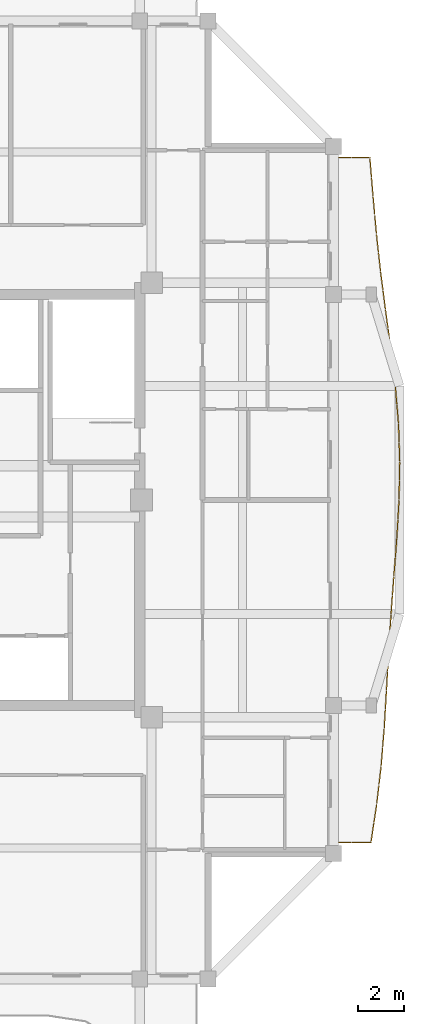
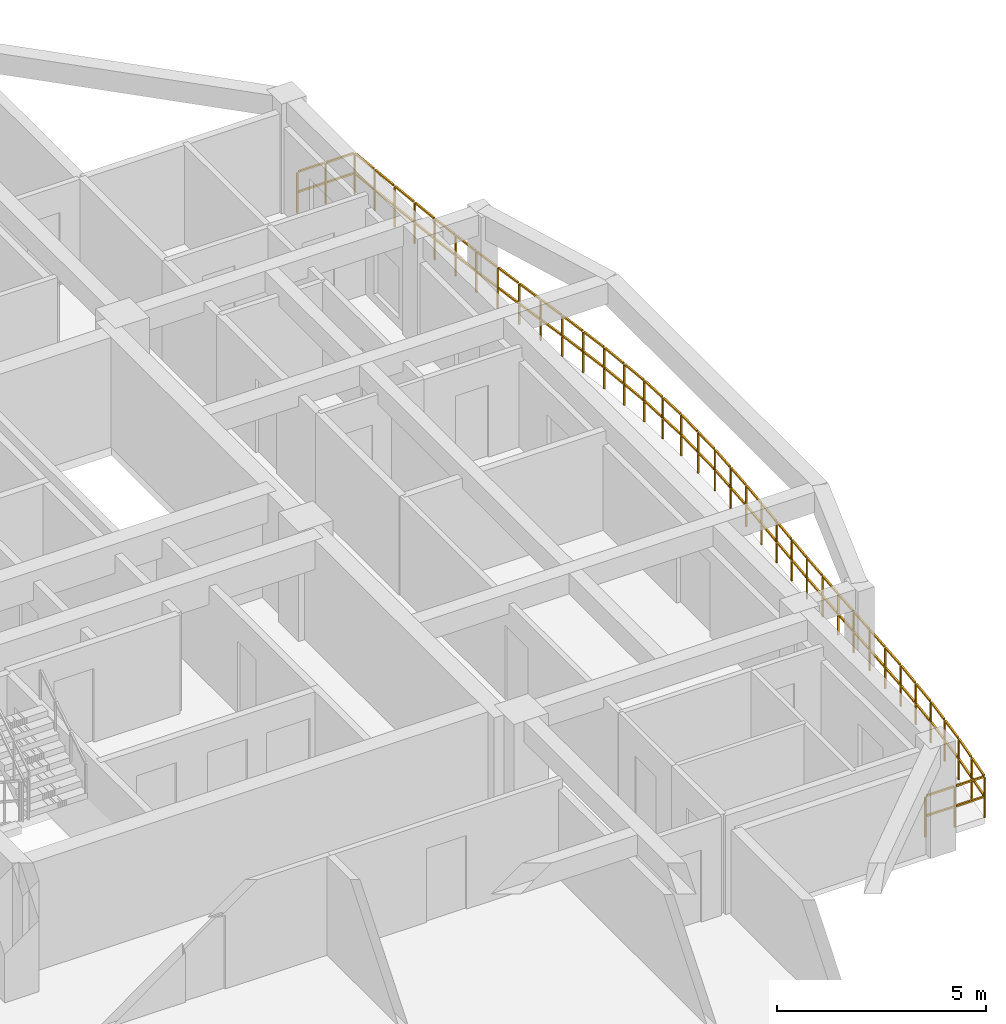
# One storey, part 10 of 11: 1 railing.
"""IFC4 building model written with IfcOpenShell, lengths in metres."""

from ifc_helpers import new_model, si_unit, direction, frame, origin, origin_2d, place, context, subcontext, project, spatial, rectangle, extrude, material, type_object, element, save


model = new_model("IFC4")

# Units and contexts
model_context = context("Model", 3, precision=1e-05, world=origin(), true_north=direction((0.0, 1.0)))
body_context = subcontext(model_context, "Body", "Model", "MODEL_VIEW")
ifc_project = project(units=[si_unit("LENGTHUNIT", "METRE"), si_unit("AREAUNIT", "SQUARE_METRE"), si_unit("VOLUMEUNIT", "CUBIC_METRE"), si_unit("PLANEANGLEUNIT", "RADIAN"), si_unit("MASSUNIT", "GRAM", prefix="KILO")], contexts=[model_context])

# Site, building, storey
site_placement = place(None, origin())
site = spatial("IfcSite", under=ifc_project, at=site_placement, CompositionType="ELEMENT")
building_placement = place(site_placement, origin())
building = spatial("IfcBuilding", under=site, at=building_placement, Name="Saelheon Loggia Tower", CompositionType="ELEMENT")
storey_placement = place(building_placement, frame((0.0, 0.0, 249.0)))
storey = spatial("IfcBuildingStorey", under=building, at=storey_placement, Name="L77", CompositionType="ELEMENT", Elevation=249.0)

# Railing
ifc_material = material(Name="Architectural Precast Concrete and Laminated Glass Guard", Category="concrete")
railing_type = type_object("IfcRailingType", Name="Guard_Loggia_RL_LOG", PredefinedType="BALUSTRADE", material=ifc_material)
railing_placement = place(storey_placement, frame((53.0, 12.0, 0.0)))
element("IfcRailing", 1, at=railing_placement, inside=storey, type_object=railing_type, Name="L77 East Loggia Balustrade", PredefinedType="BALUSTRADE", context=body_context, shape_type="SweptSolid", body=[
    extrude(rectangle(XDim=0.048095703125, YDim=0.048095703125, at=origin_2d()), frame((0.033203125, 0.0, 1.19580078125), z_axis=(1.0, 0.0, 0.0), x_axis=(0.0, 1.0, 0.0)), (0.0, 0.0, 1.0), 0.7509765625),
    extrude(rectangle(XDim=0.048095703125, YDim=0.048095703125, at=origin_2d()), frame((0.033203125, 0.0, 0.60986328125), z_axis=(1.0, 0.0, 0.0), x_axis=(0.0, 1.0, 0.0)), (0.0, 0.0, 1.0), 0.7509765625),
    extrude(rectangle(XDim=0.048095703125, YDim=0.048095703125, at=origin_2d()), frame((0.850830078125, 0.0, 1.19580078125), z_axis=(1.0, 0.0, 0.0), x_axis=(0.0, 1.0, 0.0)), (0.0, 0.0, 1.0), 0.7509765625),
    extrude(rectangle(XDim=0.048095703125, YDim=0.048095703125, at=origin_2d()), frame((0.850830078125, 0.0, 0.60986328125), z_axis=(1.0, 0.0, 0.0), x_axis=(0.0, 1.0, 0.0)), (0.0, 0.0, 1.0), 0.7509765625),
    extrude(rectangle(XDim=0.048095703125, YDim=0.048095703125, at=origin_2d()), frame((1.639892578125, 0.032958984375, 1.19580078125), z_axis=(0.149041602908, 0.988830926196, 0.0), x_axis=(-0.988830926196, 0.149041602908, 0.0)), (0.0, 0.0, 1.0), 0.7763671875),
    extrude(rectangle(XDim=0.048095703125, YDim=0.048095703125, at=origin_2d()), frame((1.639892578125, 0.032958984375, 0.60986328125), z_axis=(0.149041602908, 0.988830926196, 0.0), x_axis=(-0.988830926196, 0.149041602908, 0.0)), (0.0, 0.0, 1.0), 0.7763671875),
    extrude(rectangle(XDim=0.048095703125, YDim=0.048095703125, at=origin_2d()), frame((1.765625, 0.8662109375, 1.19580078125), z_axis=(0.149041602908, 0.988830926196, 0.0), x_axis=(-0.988830926196, 0.149041602908, 0.0)), (0.0, 0.0, 1.0), 0.7763671875),
    extrude(rectangle(XDim=0.048095703125, YDim=0.048095703125, at=origin_2d()), frame((1.765625, 0.8662109375, 0.60986328125), z_axis=(0.149041602908, 0.988830926196, 0.0), x_axis=(-0.988830926196, 0.149041602908, 0.0)), (0.0, 0.0, 1.0), 0.7763671875),
    extrude(rectangle(XDim=0.048095703125, YDim=0.048095703125, at=origin_2d()), frame((1.89013671875, 1.69970703125, 1.19580078125), z_axis=(0.115110168559, 0.993352731458, 0.0), x_axis=(-0.993352731458, 0.115110168559, 0.0)), (0.0, 0.0, 1.0), 0.7724609375),
    extrude(rectangle(XDim=0.048095703125, YDim=0.048095703125, at=origin_2d()), frame((1.89013671875, 1.69970703125, 0.60986328125), z_axis=(0.115110168559, 0.993352731458, 0.0), x_axis=(-0.993352731458, 0.115110168559, 0.0)), (0.0, 0.0, 1.0), 0.7724609375),
    extrude(rectangle(XDim=0.048095703125, YDim=0.048095703125, at=origin_2d()), frame((1.986572265625, 2.532958984375, 1.19580078125), z_axis=(0.115110168559, 0.993352731458, 0.0), x_axis=(-0.993352731458, 0.115110168559, 0.0)), (0.0, 0.0, 1.0), 0.7724609375),
    extrude(rectangle(XDim=0.048095703125, YDim=0.048095703125, at=origin_2d()), frame((1.986572265625, 2.532958984375, 0.60986328125), z_axis=(0.115110168559, 0.993352731458, 0.0), x_axis=(-0.993352731458, 0.115110168559, 0.0)), (0.0, 0.0, 1.0), 0.7724609375),
    extrude(rectangle(XDim=0.048095703125, YDim=0.048095703125, at=origin_2d()), frame((2.08203125, 3.366455078125, 1.19580078125), z_axis=(0.081317613755, 0.996688238966, 0.0), x_axis=(-0.996688238966, 0.081317613755, 0.0)), (0.0, 0.0, 1.0), 0.769775390625),
    extrude(rectangle(XDim=0.048095703125, YDim=0.048095703125, at=origin_2d()), frame((2.08203125, 3.366455078125, 0.60986328125), z_axis=(0.081317613755, 0.996688238966, 0.0), x_axis=(-0.996688238966, 0.081317613755, 0.0)), (0.0, 0.0, 1.0), 0.769775390625),
    extrude(rectangle(XDim=0.048095703125, YDim=0.048095703125, at=origin_2d()), frame((2.150146484375, 4.19970703125, 1.19580078125), z_axis=(0.081317613755, 0.996688238966, 0.0), x_axis=(-0.996688238966, 0.081317613755, 0.0)), (0.0, 0.0, 1.0), 0.769775390625),
    extrude(rectangle(XDim=0.048095703125, YDim=0.048095703125, at=origin_2d()), frame((2.150146484375, 4.19970703125, 0.60986328125), z_axis=(0.081317613755, 0.996688238966, 0.0), x_axis=(-0.996688238966, 0.081317613755, 0.0)), (0.0, 0.0, 1.0), 0.769775390625),
    extrude(rectangle(XDim=0.048095703125, YDim=0.048095703125, at=origin_2d()), frame((2.21728515625, 5.033203125, 1.19580078125), z_axis=(0.059510570368, 0.99822767544, 0.0), x_axis=(-0.99822767544, 0.059510570368, 0.0)), (0.0, 0.0, 1.0), 0.768310546875),
    extrude(rectangle(XDim=0.048095703125, YDim=0.048095703125, at=origin_2d()), frame((2.21728515625, 5.033203125, 0.60986328125), z_axis=(0.059510570368, 0.99822767544, 0.0), x_axis=(-0.99822767544, 0.059510570368, 0.0)), (0.0, 0.0, 1.0), 0.768310546875),
    extrude(rectangle(XDim=0.048095703125, YDim=0.048095703125, at=origin_2d()), frame((2.26708984375, 5.866455078125, 1.19580078125), z_axis=(0.059510570368, 0.99822767544, 0.0), x_axis=(-0.99822767544, 0.059510570368, 0.0)), (0.0, 0.0, 1.0), 0.768310546875),
    extrude(rectangle(XDim=0.048095703125, YDim=0.048095703125, at=origin_2d()), frame((2.26708984375, 5.866455078125, 0.60986328125), z_axis=(0.059510570368, 0.99822767544, 0.0), x_axis=(-0.99822767544, 0.059510570368, 0.0)), (0.0, 0.0, 1.0), 0.768310546875),
    extrude(rectangle(XDim=0.048095703125, YDim=0.048095703125, at=origin_2d()), frame((2.31640625, 6.699951171875, 1.19580078125), z_axis=(0.055000126962, 0.998486347445, 0.0), x_axis=(-0.998486347445, 0.055000126962, 0.0)), (0.0, 0.0, 1.0), 0.76806640625),
    extrude(rectangle(XDim=0.048095703125, YDim=0.048095703125, at=origin_2d()), frame((2.31640625, 6.699951171875, 0.60986328125), z_axis=(0.055000126962, 0.998486347445, 0.0), x_axis=(-0.998486347445, 0.055000126962, 0.0)), (0.0, 0.0, 1.0), 0.76806640625),
    extrude(rectangle(XDim=0.048095703125, YDim=0.048095703125, at=origin_2d()), frame((2.3623046875, 7.533203125, 1.19580078125), z_axis=(0.055000126962, 0.998486347445, 0.0), x_axis=(-0.998486347445, 0.055000126962, 0.0)), (0.0, 0.0, 1.0), 0.76806640625),
    extrude(rectangle(XDim=0.048095703125, YDim=0.048095703125, at=origin_2d()), frame((2.3623046875, 7.533203125, 0.60986328125), z_axis=(0.055000126962, 0.998486347445, 0.0), x_axis=(-0.998486347445, 0.055000126962, 0.0)), (0.0, 0.0, 1.0), 0.76806640625),
    extrude(rectangle(XDim=0.048095703125, YDim=0.048095703125, at=origin_2d()), frame((2.40869140625, 8.366455078125, 1.19580078125), z_axis=(0.063879811167, 0.997957599162, 0.0), x_axis=(-0.997957599162, 0.063879811167, 0.0)), (0.0, 0.0, 1.0), 0.7685546875),
    extrude(rectangle(XDim=0.048095703125, YDim=0.048095703125, at=origin_2d()), frame((2.40869140625, 8.366455078125, 0.60986328125), z_axis=(0.063879811167, 0.997957599162, 0.0), x_axis=(-0.997957599162, 0.063879811167, 0.0)), (0.0, 0.0, 1.0), 0.7685546875),
    extrude(rectangle(XDim=0.048095703125, YDim=0.048095703125, at=origin_2d()), frame((2.4619140625, 9.19970703125, 1.19580078125), z_axis=(0.063879811167, 0.997957599162, 0.0), x_axis=(-0.997957599162, 0.063879811167, 0.0)), (0.0, 0.0, 1.0), 0.7685546875),
    extrude(rectangle(XDim=0.048095703125, YDim=0.048095703125, at=origin_2d()), frame((2.4619140625, 9.19970703125, 0.60986328125), z_axis=(0.063879811167, 0.997957599162, 0.0), x_axis=(-0.997957599162, 0.063879811167, 0.0)), (0.0, 0.0, 1.0), 0.7685546875),
    extrude(rectangle(XDim=0.048095703125, YDim=0.048095703125, at=origin_2d()), frame((2.515625, 10.033203125, 1.19580078125), z_axis=(0.075076807606, 0.997177753943, 0.0), x_axis=(-0.997177753943, 0.075076807606, 0.0)), (0.0, 0.0, 1.0), 0.769287109375),
    extrude(rectangle(XDim=0.048095703125, YDim=0.048095703125, at=origin_2d()), frame((2.515625, 10.033203125, 0.60986328125), z_axis=(0.075076807606, 0.997177753943, 0.0), x_axis=(-0.997177753943, 0.075076807606, 0.0)), (0.0, 0.0, 1.0), 0.769287109375),
    extrude(rectangle(XDim=0.048095703125, YDim=0.048095703125, at=origin_2d()), frame((2.578369140625, 10.866455078125, 1.19580078125), z_axis=(0.075076807606, 0.997177753943, 0.0), x_axis=(-0.997177753943, 0.075076807606, 0.0)), (0.0, 0.0, 1.0), 0.769287109375),
    extrude(rectangle(XDim=0.048095703125, YDim=0.048095703125, at=origin_2d()), frame((2.578369140625, 10.866455078125, 0.60986328125), z_axis=(0.075076807606, 0.997177753943, 0.0), x_axis=(-0.997177753943, 0.075076807606, 0.0)), (0.0, 0.0, 1.0), 0.769287109375),
    extrude(rectangle(XDim=0.048095703125, YDim=0.048095703125, at=origin_2d()), frame((2.64111328125, 11.699951171875, 1.19580078125), z_axis=(0.075959226601, 0.997110924569, 0.0), x_axis=(-0.997110924569, 0.075959226601, 0.0)), (0.0, 0.0, 1.0), 0.769287109375),
    extrude(rectangle(XDim=0.048095703125, YDim=0.048095703125, at=origin_2d()), frame((2.64111328125, 11.699951171875, 0.60986328125), z_axis=(0.075959226601, 0.997110924569, 0.0), x_axis=(-0.997110924569, 0.075959226601, 0.0)), (0.0, 0.0, 1.0), 0.769287109375),
    extrude(rectangle(XDim=0.048095703125, YDim=0.048095703125, at=origin_2d()), frame((2.70458984375, 12.533203125, 1.19580078125), z_axis=(0.075959226601, 0.997110924569, 0.0), x_axis=(-0.997110924569, 0.075959226601, 0.0)), (0.0, 0.0, 1.0), 0.769287109375),
    extrude(rectangle(XDim=0.048095703125, YDim=0.048095703125, at=origin_2d()), frame((2.70458984375, 12.533203125, 0.60986328125), z_axis=(0.075959226601, 0.997110924569, 0.0), x_axis=(-0.997110924569, 0.075959226601, 0.0)), (0.0, 0.0, 1.0), 0.769287109375),
    extrude(rectangle(XDim=0.048095703125, YDim=0.048095703125, at=origin_2d()), frame((2.767578125, 13.366455078125, 1.19580078125), z_axis=(0.057761901726, 0.998330387552, 0.0), x_axis=(-0.998330387552, 0.057761901726, 0.0)), (0.0, 0.0, 1.0), 0.768310546875),
    extrude(rectangle(XDim=0.048095703125, YDim=0.048095703125, at=origin_2d()), frame((2.767578125, 13.366455078125, 0.60986328125), z_axis=(0.057761901726, 0.998330387552, 0.0), x_axis=(-0.998330387552, 0.057761901726, 0.0)), (0.0, 0.0, 1.0), 0.768310546875),
    extrude(rectangle(XDim=0.048095703125, YDim=0.048095703125, at=origin_2d()), frame((2.815673828125, 14.19970703125, 1.19580078125), z_axis=(0.057761901726, 0.998330387552, 0.0), x_axis=(-0.998330387552, 0.057761901726, 0.0)), (0.0, 0.0, 1.0), 0.768310546875),
    extrude(rectangle(XDim=0.048095703125, YDim=0.048095703125, at=origin_2d()), frame((2.815673828125, 14.19970703125, 0.60986328125), z_axis=(0.057761901726, 0.998330387552, 0.0), x_axis=(-0.998330387552, 0.057761901726, 0.0)), (0.0, 0.0, 1.0), 0.768310546875),
    extrude(rectangle(XDim=0.048095703125, YDim=0.048095703125, at=origin_2d()), frame((2.86279296875, 15.033203125, 1.19580078125), z_axis=(0.018892189386, 0.999821526664, 0.0), x_axis=(-0.999821526664, 0.018892189386, 0.0)), (0.0, 0.0, 1.0), 0.76708984375),
    extrude(rectangle(XDim=0.048095703125, YDim=0.048095703125, at=origin_2d()), frame((2.86279296875, 15.033203125, 0.60986328125), z_axis=(0.018892189386, 0.999821526664, 0.0), x_axis=(-0.999821526664, 0.018892189386, 0.0)), (0.0, 0.0, 1.0), 0.76708984375),
    extrude(rectangle(XDim=0.048095703125, YDim=0.048095703125, at=origin_2d()), frame((2.87841796875, 15.86669921875, 1.19580078125), z_axis=(0.018892189386, 0.999821526664, 0.0), x_axis=(-0.999821526664, 0.018892189386, 0.0)), (0.0, 0.0, 1.0), 0.76708984375),
    extrude(rectangle(XDim=0.048095703125, YDim=0.048095703125, at=origin_2d()), frame((2.87841796875, 15.86669921875, 0.60986328125), z_axis=(0.018892189386, 0.999821526664, 0.0), x_axis=(-0.999821526664, 0.018892189386, 0.0)), (0.0, 0.0, 1.0), 0.76708984375),
    extrude(rectangle(XDim=0.048095703125, YDim=0.048095703125, at=origin_2d()), frame((2.892578125, 16.699951171875, 1.19580078125), z_axis=(-0.032944311089, 0.999457188861, 0.0), x_axis=(-0.999457188861, -0.032944311089, 0.0)), (0.0, 0.0, 1.0), 0.767333984375),
    extrude(rectangle(XDim=0.048095703125, YDim=0.048095703125, at=origin_2d()), frame((2.892578125, 16.699951171875, 0.60986328125), z_axis=(-0.032944311089, 0.999457188861, 0.0), x_axis=(-0.999457188861, -0.032944311089, 0.0)), (0.0, 0.0, 1.0), 0.767333984375),
    extrude(rectangle(XDim=0.048095703125, YDim=0.048095703125, at=origin_2d()), frame((2.864990234375, 17.533203125, 1.19580078125), z_axis=(-0.032944311089, 0.999457188861, 0.0), x_axis=(-0.999457188861, -0.032944311089, 0.0)), (0.0, 0.0, 1.0), 0.767333984375),
    extrude(rectangle(XDim=0.048095703125, YDim=0.048095703125, at=origin_2d()), frame((2.864990234375, 17.533203125, 0.60986328125), z_axis=(-0.032944311089, 0.999457188861, 0.0), x_axis=(-0.999457188861, -0.032944311089, 0.0)), (0.0, 0.0, 1.0), 0.767333984375),
    extrude(rectangle(XDim=0.048095703125, YDim=0.048095703125, at=origin_2d()), frame((2.8359375, 18.366455078125, 1.19580078125), z_axis=(-0.083637374408, 0.996496256692, 0.0), x_axis=(-0.996496256692, -0.083637374408, 0.0)), (0.0, 0.0, 1.0), 0.769775390625),
    extrude(rectangle(XDim=0.048095703125, YDim=0.048095703125, at=origin_2d()), frame((2.8359375, 18.366455078125, 0.60986328125), z_axis=(-0.083637374408, 0.996496256692, 0.0), x_axis=(-0.996496256692, -0.083637374408, 0.0)), (0.0, 0.0, 1.0), 0.769775390625),
    extrude(rectangle(XDim=0.048095703125, YDim=0.048095703125, at=origin_2d()), frame((2.765869140625, 19.19970703125, 1.19580078125), z_axis=(-0.083637374408, 0.996496256692, 0.0), x_axis=(-0.996496256692, -0.083637374408, 0.0)), (0.0, 0.0, 1.0), 0.769775390625),
    extrude(rectangle(XDim=0.048095703125, YDim=0.048095703125, at=origin_2d()), frame((2.765869140625, 19.19970703125, 0.60986328125), z_axis=(-0.083637374408, 0.996496256692, 0.0), x_axis=(-0.996496256692, -0.083637374408, 0.0)), (0.0, 0.0, 1.0), 0.769775390625),
    extrude(rectangle(XDim=0.048095703125, YDim=0.048095703125, at=origin_2d()), frame((2.69482421875, 20.032958984375, 1.19580078125), z_axis=(-0.120114226524, 0.992760078058, 0.0), x_axis=(-0.992760078058, -0.120114226524, 0.0)), (0.0, 0.0, 1.0), 0.77294921875),
    extrude(rectangle(XDim=0.048095703125, YDim=0.048095703125, at=origin_2d()), frame((2.69482421875, 20.032958984375, 0.60986328125), z_axis=(-0.120114226524, 0.992760078058, 0.0), x_axis=(-0.992760078058, -0.120114226524, 0.0)), (0.0, 0.0, 1.0), 0.77294921875),
    extrude(rectangle(XDim=0.048095703125, YDim=0.048095703125, at=origin_2d()), frame((2.593994140625, 20.866455078125, 1.19580078125), z_axis=(-0.120114226524, 0.992760078058, 0.0), x_axis=(-0.992760078058, -0.120114226524, 0.0)), (0.0, 0.0, 1.0), 0.77294921875),
    extrude(rectangle(XDim=0.048095703125, YDim=0.048095703125, at=origin_2d()), frame((2.593994140625, 20.866455078125, 0.60986328125), z_axis=(-0.120114226524, 0.992760078058, 0.0), x_axis=(-0.992760078058, -0.120114226524, 0.0)), (0.0, 0.0, 1.0), 0.77294921875),
    extrude(rectangle(XDim=0.048095703125, YDim=0.048095703125, at=origin_2d()), frame((2.49267578125, 21.69970703125, 1.19580078125), z_axis=(-0.134426490543, 0.990923568516, 0.0), x_axis=(-0.990923568516, -0.134426490543, 0.0)), (0.0, 0.0, 1.0), 0.7744140625),
    extrude(rectangle(XDim=0.048095703125, YDim=0.048095703125, at=origin_2d()), frame((2.49267578125, 21.69970703125, 0.60986328125), z_axis=(-0.134426490543, 0.990923568516, 0.0), x_axis=(-0.990923568516, -0.134426490543, 0.0)), (0.0, 0.0, 1.0), 0.7744140625),
    extrude(rectangle(XDim=0.048095703125, YDim=0.048095703125, at=origin_2d()), frame((2.379638671875, 22.532958984375, 1.19580078125), z_axis=(-0.134426490543, 0.990923568516, 0.0), x_axis=(-0.990923568516, -0.134426490543, 0.0)), (0.0, 0.0, 1.0), 0.7744140625),
    extrude(rectangle(XDim=0.048095703125, YDim=0.048095703125, at=origin_2d()), frame((2.379638671875, 22.532958984375, 0.60986328125), z_axis=(-0.134426490543, 0.990923568516, 0.0), x_axis=(-0.990923568516, -0.134426490543, 0.0)), (0.0, 0.0, 1.0), 0.7744140625),
    extrude(rectangle(XDim=0.048095703125, YDim=0.048095703125, at=origin_2d()), frame((2.266845703125, 23.3662109375, 1.19580078125), z_axis=(-0.127842269028, 0.991794512109, 0.0), x_axis=(-0.991794512109, -0.127842269028, 0.0)), (0.0, 0.0, 1.0), 0.773681640625),
    extrude(rectangle(XDim=0.048095703125, YDim=0.048095703125, at=origin_2d()), frame((2.266845703125, 23.3662109375, 0.60986328125), z_axis=(-0.127842269028, 0.991794512109, 0.0), x_axis=(-0.991794512109, -0.127842269028, 0.0)), (0.0, 0.0, 1.0), 0.773681640625),
    extrude(rectangle(XDim=0.048095703125, YDim=0.048095703125, at=origin_2d()), frame((2.159423828125, 24.19970703125, 1.19580078125), z_axis=(-0.127842269028, 0.991794512109, 0.0), x_axis=(-0.991794512109, -0.127842269028, 0.0)), (0.0, 0.0, 1.0), 0.773681640625),
    extrude(rectangle(XDim=0.048095703125, YDim=0.048095703125, at=origin_2d()), frame((2.159423828125, 24.19970703125, 0.60986328125), z_axis=(-0.127842269028, 0.991794512109, 0.0), x_axis=(-0.991794512109, -0.127842269028, 0.0)), (0.0, 0.0, 1.0), 0.773681640625),
    extrude(rectangle(XDim=0.048095703125, YDim=0.048095703125, at=origin_2d()), frame((2.052490234375, 25.032958984375, 1.19580078125), z_axis=(-0.108625418664, 0.9940827523, 0.0), x_axis=(-0.9940827523, -0.108625418664, 0.0)), (0.0, 0.0, 1.0), 0.77197265625),
    extrude(rectangle(XDim=0.048095703125, YDim=0.048095703125, at=origin_2d()), frame((2.052490234375, 25.032958984375, 0.60986328125), z_axis=(-0.108625418664, 0.9940827523, 0.0), x_axis=(-0.9940827523, -0.108625418664, 0.0)), (0.0, 0.0, 1.0), 0.77197265625),
    extrude(rectangle(XDim=0.048095703125, YDim=0.048095703125, at=origin_2d()), frame((1.96142578125, 25.866455078125, 1.19580078125), z_axis=(-0.108625418664, 0.9940827523, 0.0), x_axis=(-0.9940827523, -0.108625418664, 0.0)), (0.0, 0.0, 1.0), 0.77197265625),
    extrude(rectangle(XDim=0.048095703125, YDim=0.048095703125, at=origin_2d()), frame((1.96142578125, 25.866455078125, 0.60986328125), z_axis=(-0.108625418664, 0.9940827523, 0.0), x_axis=(-0.9940827523, -0.108625418664, 0.0)), (0.0, 0.0, 1.0), 0.77197265625),
    extrude(rectangle(XDim=0.048095703125, YDim=0.048095703125, at=origin_2d()), frame((1.87109375, 26.699951171875, 1.19580078125), z_axis=(-0.089733224399, 0.995965836984, 0.0), x_axis=(-0.995965836984, -0.089733224399, 0.0)), (0.0, 0.0, 1.0), 0.770263671875),
    extrude(rectangle(XDim=0.048095703125, YDim=0.048095703125, at=origin_2d()), frame((1.87109375, 26.699951171875, 0.60986328125), z_axis=(-0.089733224399, 0.995965836984, 0.0), x_axis=(-0.995965836984, -0.089733224399, 0.0)), (0.0, 0.0, 1.0), 0.770263671875),
    extrude(rectangle(XDim=0.048095703125, YDim=0.048095703125, at=origin_2d()), frame((1.7958984375, 27.533203125, 1.19580078125), z_axis=(-0.089733224399, 0.995965836984, 0.0), x_axis=(-0.995965836984, -0.089733224399, 0.0)), (0.0, 0.0, 1.0), 0.770263671875),
    extrude(rectangle(XDim=0.048095703125, YDim=0.048095703125, at=origin_2d()), frame((1.7958984375, 27.533203125, 0.60986328125), z_axis=(-0.089733224399, 0.995965836984, 0.0), x_axis=(-0.995965836984, -0.089733224399, 0.0)), (0.0, 0.0, 1.0), 0.770263671875),
    extrude(rectangle(XDim=0.048095703125, YDim=0.048095703125, at=origin_2d()), frame((1.72119140625, 28.366455078125, 1.19580078125), z_axis=(-0.082622644176, 0.996580904227, 0.0), x_axis=(-0.996580904227, -0.082622644176, 0.0)), (0.0, 0.0, 1.0), 0.769775390625),
    extrude(rectangle(XDim=0.048095703125, YDim=0.048095703125, at=origin_2d()), frame((1.72119140625, 28.366455078125, 0.60986328125), z_axis=(-0.082622644176, 0.996580904227, 0.0), x_axis=(-0.996580904227, -0.082622644176, 0.0)), (0.0, 0.0, 1.0), 0.769775390625),
    extrude(rectangle(XDim=0.048095703125, YDim=0.048095703125, at=origin_2d()), frame((1.652099609375, 29.19970703125, 1.19580078125), z_axis=(-0.082622644176, 0.996580904227, 0.0), x_axis=(-0.996580904227, -0.082622644176, 0.0)), (0.0, 0.0, 1.0), 0.769775390625),
    extrude(rectangle(XDim=0.048095703125, YDim=0.048095703125, at=origin_2d()), frame((1.652099609375, 29.19970703125, 0.60986328125), z_axis=(-0.082622644176, 0.996580904227, 0.0), x_axis=(-0.996580904227, -0.082622644176, 0.0)), (0.0, 0.0, 1.0), 0.769775390625),
    extrude(rectangle(XDim=0.048095703125, YDim=0.048095703125, at=origin_2d()), frame((1.552490234375, 30.0, 1.19580078125), z_axis=(-1.0, 0.0, 0.0), x_axis=(0.0, -1.0, 0.0)), (0.0, 0.0, 1.0), 0.726318359375),
    extrude(rectangle(XDim=0.048095703125, YDim=0.048095703125, at=origin_2d()), frame((1.552490234375, 30.0, 0.60986328125), z_axis=(-1.0, 0.0, 0.0), x_axis=(0.0, -1.0, 0.0)), (0.0, 0.0, 1.0), 0.726318359375),
    extrude(rectangle(XDim=0.048095703125, YDim=0.048095703125, at=origin_2d()), frame((0.759521484375, 30.0, 1.19580078125), z_axis=(-1.0, 0.0, 0.0), x_axis=(0.0, -1.0, 0.0)), (0.0, 0.0, 1.0), 0.726318359375),
    extrude(rectangle(XDim=0.048095703125, YDim=0.048095703125, at=origin_2d()), frame((0.759521484375, 30.0, 0.60986328125), z_axis=(-1.0, 0.0, 0.0), x_axis=(0.0, -1.0, 0.0)), (0.0, 0.0, 1.0), 0.726318359375),
    extrude(rectangle(XDim=0.0419921875, YDim=0.0419921875, at=origin_2d()), origin(), (0.0, 0.0, 1.0), 1.16796875),
    extrude(rectangle(XDim=0.0419921875, YDim=0.0419921875, at=origin_2d()), frame((0.8173828125, 0.0, 0.0)), (0.0, 0.0, 1.0), 1.16796875),
    extrude(rectangle(XDim=0.0419921875, YDim=0.0419921875, at=origin_2d()), frame((1.635009765625, 0.0, 0.0)), (0.0, 0.0, 1.0), 1.16796875),
    extrude(rectangle(XDim=0.0419921875, YDim=0.0419921875, at=origin_2d()), frame((1.7607421875, 0.83349609375, 0.0)), (0.0, 0.0, 1.0), 1.16796875),
    extrude(rectangle(XDim=0.0419921875, YDim=0.0419921875, at=origin_2d()), frame((1.88623046875, 1.666748046875, 0.0)), (0.0, 0.0, 1.0), 1.16796875),
    extrude(rectangle(XDim=0.0419921875, YDim=0.0419921875, at=origin_2d()), frame((1.98291015625, 2.5, 0.0)), (0.0, 0.0, 1.0), 1.16796875),
    extrude(rectangle(XDim=0.0419921875, YDim=0.0419921875, at=origin_2d()), frame((2.079345703125, 3.333251953125, 0.0)), (0.0, 0.0, 1.0), 1.16796875),
    extrude(rectangle(XDim=0.0419921875, YDim=0.0419921875, at=origin_2d()), frame((2.1474609375, 4.16650390625, 0.0)), (0.0, 0.0, 1.0), 1.16796875),
    extrude(rectangle(XDim=0.0419921875, YDim=0.0419921875, at=origin_2d()), frame((2.21533203125, 5.0, 0.0)), (0.0, 0.0, 1.0), 1.16796875),
    extrude(rectangle(XDim=0.0419921875, YDim=0.0419921875, at=origin_2d()), frame((2.26513671875, 5.83349609375, 0.0)), (0.0, 0.0, 1.0), 1.16796875),
    extrude(rectangle(XDim=0.0419921875, YDim=0.0419921875, at=origin_2d()), frame((2.314697265625, 6.666748046875, 0.0)), (0.0, 0.0, 1.0), 1.16796875),
    extrude(rectangle(XDim=0.0419921875, YDim=0.0419921875, at=origin_2d()), frame((2.360595703125, 7.5, 0.0)), (0.0, 0.0, 1.0), 1.16796875),
    extrude(rectangle(XDim=0.0419921875, YDim=0.0419921875, at=origin_2d()), frame((2.406494140625, 8.333251953125, 0.0)), (0.0, 0.0, 1.0), 1.16796875),
    extrude(rectangle(XDim=0.0419921875, YDim=0.0419921875, at=origin_2d()), frame((2.4599609375, 9.16650390625, 0.0)), (0.0, 0.0, 1.0), 1.16796875),
    extrude(rectangle(XDim=0.0419921875, YDim=0.0419921875, at=origin_2d()), frame((2.51318359375, 10.0, 0.0)), (0.0, 0.0, 1.0), 1.16796875),
    extrude(rectangle(XDim=0.0419921875, YDim=0.0419921875, at=origin_2d()), frame((2.575927734375, 10.83349609375, 0.0)), (0.0, 0.0, 1.0), 1.16796875),
    extrude(rectangle(XDim=0.0419921875, YDim=0.0419921875, at=origin_2d()), frame((2.638671875, 11.666748046875, 0.0)), (0.0, 0.0, 1.0), 1.16796875),
    extrude(rectangle(XDim=0.0419921875, YDim=0.0419921875, at=origin_2d()), frame((2.7021484375, 12.5, 0.0)), (0.0, 0.0, 1.0), 1.16796875),
    extrude(rectangle(XDim=0.0419921875, YDim=0.0419921875, at=origin_2d()), frame((2.765625, 13.333251953125, 0.0)), (0.0, 0.0, 1.0), 1.16796875),
    extrude(rectangle(XDim=0.0419921875, YDim=0.0419921875, at=origin_2d()), frame((2.81396484375, 14.16650390625, 0.0)), (0.0, 0.0, 1.0), 1.16796875),
    extrude(rectangle(XDim=0.0419921875, YDim=0.0419921875, at=origin_2d()), frame((2.862060546875, 15.0, 0.0)), (0.0, 0.0, 1.0), 1.16796875),
    extrude(rectangle(XDim=0.0419921875, YDim=0.0419921875, at=origin_2d()), frame((2.8779296875, 15.83349609375, 0.0)), (0.0, 0.0, 1.0), 1.16796875),
    extrude(rectangle(XDim=0.0419921875, YDim=0.0419921875, at=origin_2d()), frame((2.8935546875, 16.666748046875, 0.0)), (0.0, 0.0, 1.0), 1.16796875),
    extrude(rectangle(XDim=0.0419921875, YDim=0.0419921875, at=origin_2d()), frame((2.8662109375, 17.5, 0.0)), (0.0, 0.0, 1.0), 1.16796875),
    extrude(rectangle(XDim=0.0419921875, YDim=0.0419921875, at=origin_2d()), frame((2.838623046875, 18.333251953125, 0.0)), (0.0, 0.0, 1.0), 1.16796875),
    extrude(rectangle(XDim=0.0419921875, YDim=0.0419921875, at=origin_2d()), frame((2.7685546875, 19.16650390625, 0.0)), (0.0, 0.0, 1.0), 1.16796875),
    extrude(rectangle(XDim=0.0419921875, YDim=0.0419921875, at=origin_2d()), frame((2.69873046875, 20.0, 0.0)), (0.0, 0.0, 1.0), 1.16796875),
    extrude(rectangle(XDim=0.0419921875, YDim=0.0419921875, at=origin_2d()), frame((2.597900390625, 20.83349609375, 0.0)), (0.0, 0.0, 1.0), 1.16796875),
    extrude(rectangle(XDim=0.0419921875, YDim=0.0419921875, at=origin_2d()), frame((2.4970703125, 21.666748046875, 0.0)), (0.0, 0.0, 1.0), 1.16796875),
    extrude(rectangle(XDim=0.0419921875, YDim=0.0419921875, at=origin_2d()), frame((2.384033203125, 22.5, 0.0)), (0.0, 0.0, 1.0), 1.16796875),
    extrude(rectangle(XDim=0.0419921875, YDim=0.0419921875, at=origin_2d()), frame((2.27099609375, 23.333251953125, 0.0)), (0.0, 0.0, 1.0), 1.16796875),
    extrude(rectangle(XDim=0.0419921875, YDim=0.0419921875, at=origin_2d()), frame((2.16357421875, 24.16650390625, 0.0)), (0.0, 0.0, 1.0), 1.16796875),
    extrude(rectangle(XDim=0.0419921875, YDim=0.0419921875, at=origin_2d()), frame((2.05615234375, 25.0, 0.0)), (0.0, 0.0, 1.0), 1.16796875),
    extrude(rectangle(XDim=0.0419921875, YDim=0.0419921875, at=origin_2d()), frame((1.965087890625, 25.83349609375, 0.0)), (0.0, 0.0, 1.0), 1.16796875),
    extrude(rectangle(XDim=0.0419921875, YDim=0.0419921875, at=origin_2d()), frame((1.8740234375, 26.666748046875, 0.0)), (0.0, 0.0, 1.0), 1.16796875),
    extrude(rectangle(XDim=0.0419921875, YDim=0.0419921875, at=origin_2d()), frame((1.798828125, 27.5, 0.0)), (0.0, 0.0, 1.0), 1.16796875),
    extrude(rectangle(XDim=0.0419921875, YDim=0.0419921875, at=origin_2d()), frame((1.723876953125, 28.333251953125, 0.0)), (0.0, 0.0, 1.0), 1.16796875),
    extrude(rectangle(XDim=0.0419921875, YDim=0.0419921875, at=origin_2d()), frame((1.65478515625, 29.16650390625, 0.0)), (0.0, 0.0, 1.0), 1.16796875),
    extrude(rectangle(XDim=0.0419921875, YDim=0.0419921875, at=origin_2d()), frame((1.585693359375, 30.0, 0.0)), (0.0, 0.0, 1.0), 1.16796875),
    extrude(rectangle(XDim=0.0419921875, YDim=0.0419921875, at=origin_2d()), frame((0.79296875, 30.0, 0.0)), (0.0, 0.0, 1.0), 1.16796875),
    extrude(rectangle(XDim=0.0419921875, YDim=0.0419921875, at=origin_2d()), frame((0.0, 30.0, 0.0)), (0.0, 0.0, 1.0), 1.16796875),
])

save(model, "model.ifc")
